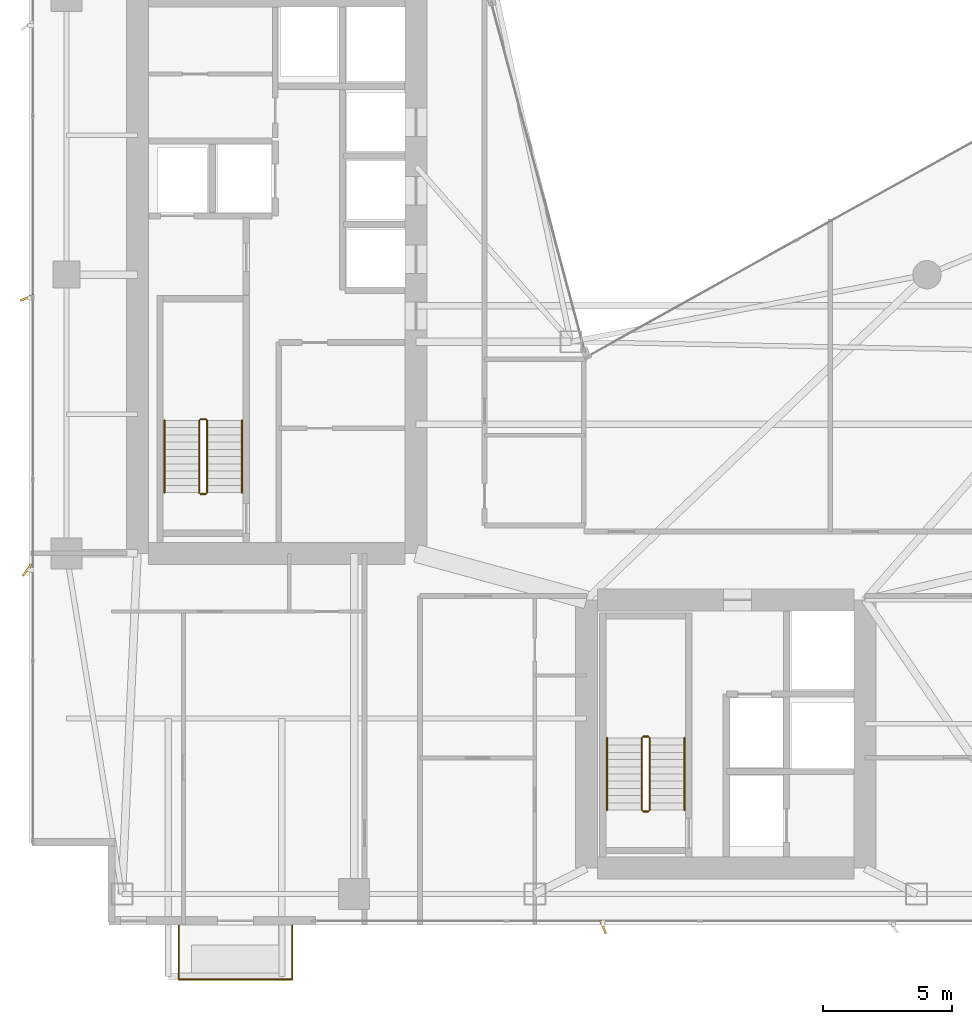
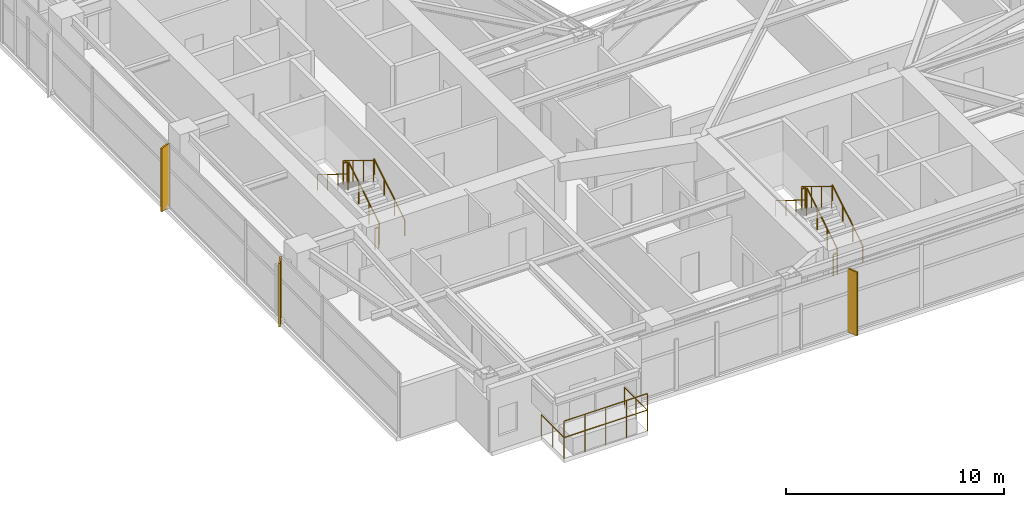
# One storey, part 27 of 28: 14 railings, 3 shading devices.
"""IFC4 building model written with IfcOpenShell, lengths in metres."""

from ifc_helpers import new_model, si_unit, direction, frame, origin, origin_2d, place, context, subcontext, project, spatial, rectangle, circle, extrude, material, type_object, element, save


model = new_model("IFC4")

# Units and contexts
model_context = context("Model", 3, precision=1e-05, world=origin(), true_north=direction((0.0, 1.0)))
body_context = subcontext(model_context, "Body", "Model", "MODEL_VIEW")
ifc_project = project(units=[si_unit("LENGTHUNIT", "METRE"), si_unit("AREAUNIT", "SQUARE_METRE"), si_unit("VOLUMEUNIT", "CUBIC_METRE"), si_unit("PLANEANGLEUNIT", "RADIAN"), si_unit("MASSUNIT", "GRAM", prefix="KILO")], contexts=[model_context])

# Site, building, storey
site_placement = place(None, origin())
site = spatial("IfcSite", under=ifc_project, at=site_placement, CompositionType="ELEMENT")
building_placement = place(site_placement, origin())
building = spatial("IfcBuilding", under=site, at=building_placement, Name="Calvorn Quay Hotel", CompositionType="ELEMENT")
storey_placement = place(building_placement, frame((0.0, 0.0, 131.60009765625)))
storey = spatial("IfcBuildingStorey", under=building, at=storey_placement, Name="L32", CompositionType="ELEMENT", Elevation=131.60009765625)

# Railings
ifc_material_1 = material(Name="Pale Anodised Aluminium and Laminated Glass", Category="aluminium")
railing_type_1 = type_object("IfcRailingType", Name="RLG-BALUSTRADE-1200", PredefinedType="BALUSTRADE", material=ifc_material_1)
railing_1_placement = place(storey_placement, frame((5.800048828125, 2.389892578125, 0.0)))
element("IfcRailing", 1, at=railing_1_placement, inside=storey, type_object=railing_type_1, Name="Tree Balcony Perimeter Balustrade L32-BALC-S", PredefinedType="BALUSTRADE", context=body_context, shape_type="SweptSolid", body=[
    extrude(circle(Radius=0.02392578125, at=origin_2d()), frame((0.0, 0.0, 1.17578125), z_axis=(0.0, -1.0, 0.0), x_axis=(1.0, 0.0, 0.0)), (0.0, 0.0, 1.0), 2.099853515625),
    extrude(circle(Radius=0.02392578125, at=origin_2d()), frame((0.0, -2.099853515625, 1.17578125), z_axis=(1.0, 0.0, 0.0), x_axis=(0.0, 1.0, 0.0)), (0.0, 0.0, 1.0), 4.39990234375),
    extrude(circle(Radius=0.02392578125, at=origin_2d()), frame((4.39990234375, -2.099853515625, 1.17578125), z_axis=(0.0, 1.0, 0.0), x_axis=(-1.0, 0.0, 0.0)), (0.0, 0.0, 1.0), 2.099853515625),
    extrude(circle(Radius=0.02099609375, at=origin_2d()), origin(), (0.0, 0.0, 1.0), 1.15185546875),
    extrude(circle(Radius=0.02099609375, at=origin_2d()), frame((0.0, -1.0498046875, 0.0)), (0.0, 0.0, 1.0), 1.15185546875),
    extrude(circle(Radius=0.02099609375, at=origin_2d()), frame((0.0, -2.099853515625, 0.0)), (0.0, 0.0, 1.0), 1.15185546875),
    extrude(circle(Radius=0.02099609375, at=origin_2d()), frame((1.10009765625, -2.099853515625, 0.0)), (0.0, 0.0, 1.0), 1.15185546875),
    extrude(circle(Radius=0.02099609375, at=origin_2d()), frame((2.199951171875, -2.099853515625, 0.0)), (0.0, 0.0, 1.0), 1.15185546875),
    extrude(circle(Radius=0.02099609375, at=origin_2d()), frame((3.2998046875, -2.099853515625, 0.0)), (0.0, 0.0, 1.0), 1.15185546875),
    extrude(circle(Radius=0.02099609375, at=origin_2d()), frame((4.39990234375, -2.099853515625, 0.0)), (0.0, 0.0, 1.0), 1.15185546875),
    extrude(circle(Radius=0.02099609375, at=origin_2d()), frame((4.39990234375, -1.0498046875, 0.0)), (0.0, 0.0, 1.0), 1.15185546875),
    extrude(circle(Radius=0.02099609375, at=origin_2d()), frame((4.39990234375, 0.0, 0.0)), (0.0, 0.0, 1.0), 1.15185546875),
])
railing_2_placement = place(storey_placement, frame((5.800048828125, 0.2900390625, 0.89990234375)))
element("IfcRailing", 2, at=railing_2_placement, inside=storey, type_object=railing_type_1, Name="Planter Kerb High Safety Screen L32-BALC-S", PredefinedType="BALUSTRADE", context=body_context, shape_type="SweptSolid", body=[
    extrude(circle(Radius=0.02392578125, at=origin_2d()), frame((0.0, 0.0, 1.19580078125), z_axis=(1.0, 0.0, 0.0), x_axis=(0.0, 1.0, 0.0)), (0.0, 0.0, 1.0), 4.39990234375),
    extrude(circle(Radius=0.02099609375, at=origin_2d()), origin(), (0.0, 0.0, 1.0), 1.171875),
    extrude(circle(Radius=0.02099609375, at=origin_2d()), frame((1.10009765625, 0.0, 0.0)), (0.0, 0.0, 1.0), 1.171875),
    extrude(circle(Radius=0.02099609375, at=origin_2d()), frame((2.199951171875, 0.0, 0.0)), (0.0, 0.0, 1.0), 1.171875),
    extrude(circle(Radius=0.02099609375, at=origin_2d()), frame((3.2998046875, 0.0, 0.0)), (0.0, 0.0, 1.0), 1.171875),
    extrude(circle(Radius=0.02099609375, at=origin_2d()), frame((4.39990234375, 0.0, 0.0)), (0.0, 0.0, 1.0), 1.171875),
])
ifc_material_2 = material(Name="Brushed Stainless Steel Handrail", Category="steel")
railing_type_2 = type_object("IfcRailingType", Name="RLG-HANDRAIL-900", PredefinedType="HANDRAIL", material=ifc_material_2)
railing_3_placement = place(storey_placement, frame((8.25, 19.14990234375, 0.172607421875)))
element("IfcRailing", 3, at=railing_3_placement, inside=storey, type_object=railing_type_2, Name="L32 ST-W stair handrail 1", PredefinedType="HANDRAIL", context=body_context, shape_type="SweptSolid", body=[
    extrude(circle(Radius=0.02392578125, at=origin_2d()), frame((0.0, 0.0, 0.8759765625), z_axis=(0.0, 0.851089632645, 0.525020415988), x_axis=(-1.0, 0.0, 0.0)), (0.0, 0.0, 1.0), 3.2900390625),
    extrude(circle(Radius=0.02099609375, at=origin_2d()), origin(), (0.0, 0.0, 1.0), 0.851806640625),
    extrude(circle(Radius=0.02099609375, at=origin_2d()), frame((0.0, 0.933349609375, 0.57568359375)), (0.0, 0.0, 1.0), 0.851806640625),
    extrude(circle(Radius=0.02099609375, at=origin_2d()), frame((0.0, 1.86669921875, 1.151611328125)), (0.0, 0.0, 1.0), 0.851806640625),
    extrude(circle(Radius=0.02099609375, at=origin_2d()), frame((0.0, 2.800048828125, 1.727294921875)), (0.0, 0.0, 1.0), 0.851806640625),
])
railing_4_placement = place(storey_placement, frame((5.25, 21.949951171875, 2.072509765625)))
element("IfcRailing", 4, at=railing_4_placement, inside=storey, type_object=railing_type_2, Name="L32 ST-W stair handrail 2", PredefinedType="HANDRAIL", context=body_context, shape_type="SweptSolid", body=[
    extrude(circle(Radius=0.02392578125, at=origin_2d()), frame((0.0, 0.0, 0.8759765625), z_axis=(0.0, -0.851089632645, 0.525020415988), x_axis=(1.0, 0.0, 0.0)), (0.0, 0.0, 1.0), 3.2900390625),
    extrude(circle(Radius=0.02099609375, at=origin_2d()), origin(), (0.0, 0.0, 1.0), 0.851806640625),
    extrude(circle(Radius=0.02099609375, at=origin_2d()), frame((0.0, -0.933349609375, 0.57568359375)), (0.0, 0.0, 1.0), 0.851806640625),
    extrude(circle(Radius=0.02099609375, at=origin_2d()), frame((0.0, -1.86669921875, 1.151611328125)), (0.0, 0.0, 1.0), 0.851806640625),
    extrude(circle(Radius=0.02099609375, at=origin_2d()), frame((0.0, -2.800048828125, 1.727294921875)), (0.0, 0.0, 1.0), 0.851806640625),
])
railing_5_placement = place(storey_placement, frame((25.39990234375, 6.85009765625, 0.172607421875)))
element("IfcRailing", 5, at=railing_5_placement, inside=storey, type_object=railing_type_2, Name="L32 ST-E stair handrail 1", PredefinedType="HANDRAIL", context=body_context, shape_type="SweptSolid", body=[
    extrude(circle(Radius=0.02392578125, at=origin_2d()), frame((0.0, 0.0, 0.8759765625), z_axis=(0.0, 0.851069175582, 0.525053576669), x_axis=(-1.0, 0.0, 0.0)), (0.0, 0.0, 1.0), 3.289794921875),
    extrude(circle(Radius=0.02099609375, at=origin_2d()), origin(), (0.0, 0.0, 1.0), 0.851806640625),
    extrude(circle(Radius=0.02099609375, at=origin_2d()), frame((0.0, 0.933349609375, 0.57568359375)), (0.0, 0.0, 1.0), 0.851806640625),
    extrude(circle(Radius=0.02099609375, at=origin_2d()), frame((0.0, 1.866455078125, 1.151611328125)), (0.0, 0.0, 1.0), 0.851806640625),
    extrude(circle(Radius=0.02099609375, at=origin_2d()), frame((0.0, 2.7998046875, 1.727294921875)), (0.0, 0.0, 1.0), 0.851806640625),
])
railing_6_placement = place(storey_placement, frame((22.39990234375, 9.64990234375, 2.072509765625)))
element("IfcRailing", 6, at=railing_6_placement, inside=storey, type_object=railing_type_2, Name="L32 ST-E stair handrail 2", PredefinedType="HANDRAIL", context=body_context, shape_type="SweptSolid", body=[
    extrude(circle(Radius=0.02392578125, at=origin_2d()), frame((0.0, 0.0, 0.8759765625), z_axis=(0.0, -0.851069175582, 0.525053576669), x_axis=(1.0, 0.0, 0.0)), (0.0, 0.0, 1.0), 3.289794921875),
    extrude(circle(Radius=0.02099609375, at=origin_2d()), origin(), (0.0, 0.0, 1.0), 0.851806640625),
    extrude(circle(Radius=0.02099609375, at=origin_2d()), frame((0.0, -0.933349609375, 0.57568359375)), (0.0, 0.0, 1.0), 0.851806640625),
    extrude(circle(Radius=0.02099609375, at=origin_2d()), frame((0.0, -1.866455078125, 1.151611328125)), (0.0, 0.0, 1.0), 0.851806640625),
    extrude(circle(Radius=0.02099609375, at=origin_2d()), frame((0.0, -2.7998046875, 1.727294921875)), (0.0, 0.0, 1.0), 0.851806640625),
])
ifc_material_3 = material(Name="Painted Galvanised Steel Balustrade", Category="steel")
railing_type_3 = type_object("IfcRailingType", Name="RLG-STAIR-GUARD-1120", PredefinedType="GUARDRAIL", material=ifc_material_3)
railing_7_placement = place(storey_placement, frame((6.89990234375, 19.14990234375, 0.172607421875)))
element("IfcRailing", 7, at=railing_7_placement, inside=storey, type_object=railing_type_3, Name="L32 ST-W stair guard 1", PredefinedType="GUARDRAIL", context=body_context, shape_type="SweptSolid", body=[
    extrude(circle(Radius=0.02392578125, at=origin_2d()), frame((0.0, 0.0, 1.17578125), z_axis=(0.0, 0.851089632645, 0.525020415988), x_axis=(-1.0, 0.0, 0.0)), (0.0, 0.0, 1.0), 3.2900390625),
    extrude(circle(Radius=0.02099609375, at=origin_2d()), origin(), (0.0, 0.0, 1.0), 1.15185546875),
    extrude(circle(Radius=0.02099609375, at=origin_2d()), frame((0.0, 0.933349609375, 0.57568359375)), (0.0, 0.0, 1.0), 1.15185546875),
    extrude(circle(Radius=0.02099609375, at=origin_2d()), frame((0.0, 1.86669921875, 1.151611328125)), (0.0, 0.0, 1.0), 1.15185546875),
    extrude(circle(Radius=0.02099609375, at=origin_2d()), frame((0.0, 2.800048828125, 1.727294921875)), (0.0, 0.0, 1.0), 1.15185546875),
])
railing_8_placement = place(storey_placement, frame((6.85009765625, 22.0, 1.89990234375)))
element("IfcRailing", 8, at=railing_8_placement, inside=storey, type_object=railing_type_3, Name="L32 ST-W stair guard 2", PredefinedType="GUARDRAIL", context=body_context, shape_type="SweptSolid", body=[
    extrude(circle(Radius=0.02392578125, at=origin_2d()), frame((0.0, 0.0, 1.17578125), z_axis=(-1.0, 0.0, 0.0), x_axis=(0.0, -1.0, 0.0)), (0.0, 0.0, 1.0), 0.2001953125),
    extrude(circle(Radius=0.02099609375, at=origin_2d()), origin(), (0.0, 0.0, 1.0), 1.15185546875),
    extrude(circle(Radius=0.02099609375, at=origin_2d()), frame((-0.2001953125, 0.0, 0.0)), (0.0, 0.0, 1.0), 1.15185546875),
])
railing_9_placement = place(storey_placement, frame((6.60009765625, 21.949951171875, 2.072509765625)))
element("IfcRailing", 9, at=railing_9_placement, inside=storey, type_object=railing_type_3, Name="L32 ST-W stair guard 3", PredefinedType="GUARDRAIL", context=body_context, shape_type="SweptSolid", body=[
    extrude(circle(Radius=0.02392578125, at=origin_2d()), frame((0.0, 0.0, 1.17578125), z_axis=(0.0, -0.851089632645, 0.525020415988), x_axis=(1.0, 0.0, 0.0)), (0.0, 0.0, 1.0), 3.2900390625),
    extrude(circle(Radius=0.02099609375, at=origin_2d()), origin(), (0.0, 0.0, 1.0), 1.15185546875),
    extrude(circle(Radius=0.02099609375, at=origin_2d()), frame((0.0, -0.933349609375, 0.57568359375)), (0.0, 0.0, 1.0), 1.15185546875),
    extrude(circle(Radius=0.02099609375, at=origin_2d()), frame((0.0, -1.86669921875, 1.151611328125)), (0.0, 0.0, 1.0), 1.15185546875),
    extrude(circle(Radius=0.02099609375, at=origin_2d()), frame((0.0, -2.800048828125, 1.727294921875)), (0.0, 0.0, 1.0), 1.15185546875),
])
railing_10_placement = place(storey_placement, frame((6.85009765625, 19.10009765625, 0.0)))
element("IfcRailing", 10, at=railing_10_placement, inside=storey, type_object=railing_type_3, Name="L32 ST-W stair guard 4", PredefinedType="GUARDRAIL", context=body_context, shape_type="SweptSolid", body=[
    extrude(circle(Radius=0.02392578125, at=origin_2d()), frame((0.0, 0.0, 1.17578125), z_axis=(-1.0, 0.0, 0.0), x_axis=(0.0, -1.0, 0.0)), (0.0, 0.0, 1.0), 0.2001953125),
    extrude(circle(Radius=0.02099609375, at=origin_2d()), origin(), (0.0, 0.0, 1.0), 1.15185546875),
    extrude(circle(Radius=0.02099609375, at=origin_2d()), frame((-0.2001953125, 0.0, 0.0)), (0.0, 0.0, 1.0), 1.15185546875),
])
railing_11_placement = place(storey_placement, frame((24.050048828125, 6.85009765625, 0.172607421875)))
element("IfcRailing", 11, at=railing_11_placement, inside=storey, type_object=railing_type_3, Name="L32 ST-E stair guard 1", PredefinedType="GUARDRAIL", context=body_context, shape_type="SweptSolid", body=[
    extrude(circle(Radius=0.02392578125, at=origin_2d()), frame((0.0, 0.0, 1.17578125), z_axis=(0.0, 0.851069175582, 0.525053576669), x_axis=(-1.0, 0.0, 0.0)), (0.0, 0.0, 1.0), 3.289794921875),
    extrude(circle(Radius=0.02099609375, at=origin_2d()), origin(), (0.0, 0.0, 1.0), 1.15185546875),
    extrude(circle(Radius=0.02099609375, at=origin_2d()), frame((0.0, 0.933349609375, 0.57568359375)), (0.0, 0.0, 1.0), 1.15185546875),
    extrude(circle(Radius=0.02099609375, at=origin_2d()), frame((0.0, 1.866455078125, 1.151611328125)), (0.0, 0.0, 1.0), 1.15185546875),
    extrude(circle(Radius=0.02099609375, at=origin_2d()), frame((0.0, 2.7998046875, 1.727294921875)), (0.0, 0.0, 1.0), 1.15185546875),
])
railing_12_placement = place(storey_placement, frame((24.0, 9.699951171875, 1.89990234375)))
element("IfcRailing", 12, at=railing_12_placement, inside=storey, type_object=railing_type_3, Name="L32 ST-E stair guard 2", PredefinedType="GUARDRAIL", context=body_context, shape_type="SweptSolid", body=[
    extrude(circle(Radius=0.02392578125, at=origin_2d()), frame((0.0, 0.0, 1.17578125), z_axis=(-1.0, 0.0, 0.0), x_axis=(0.0, -1.0, 0.0)), (0.0, 0.0, 1.0), 0.199951171875),
    extrude(circle(Radius=0.02099609375, at=origin_2d()), origin(), (0.0, 0.0, 1.0), 1.15185546875),
    extrude(circle(Radius=0.02099609375, at=origin_2d()), frame((-0.199951171875, 0.0, 0.0)), (0.0, 0.0, 1.0), 1.15185546875),
])
railing_13_placement = place(storey_placement, frame((23.75, 9.64990234375, 2.072509765625)))
element("IfcRailing", 13, at=railing_13_placement, inside=storey, type_object=railing_type_3, Name="L32 ST-E stair guard 3", PredefinedType="GUARDRAIL", context=body_context, shape_type="SweptSolid", body=[
    extrude(circle(Radius=0.02392578125, at=origin_2d()), frame((0.0, 0.0, 1.17578125), z_axis=(0.0, -0.851069175582, 0.525053576669), x_axis=(1.0, 0.0, 0.0)), (0.0, 0.0, 1.0), 3.289794921875),
    extrude(circle(Radius=0.02099609375, at=origin_2d()), origin(), (0.0, 0.0, 1.0), 1.15185546875),
    extrude(circle(Radius=0.02099609375, at=origin_2d()), frame((0.0, -0.933349609375, 0.57568359375)), (0.0, 0.0, 1.0), 1.15185546875),
    extrude(circle(Radius=0.02099609375, at=origin_2d()), frame((0.0, -1.866455078125, 1.151611328125)), (0.0, 0.0, 1.0), 1.15185546875),
    extrude(circle(Radius=0.02099609375, at=origin_2d()), frame((0.0, -2.7998046875, 1.727294921875)), (0.0, 0.0, 1.0), 1.15185546875),
])
railing_14_placement = place(storey_placement, frame((24.0, 6.800048828125, 0.0)))
element("IfcRailing", 14, at=railing_14_placement, inside=storey, type_object=railing_type_3, Name="L32 ST-E stair guard 4", PredefinedType="GUARDRAIL", context=body_context, shape_type="SweptSolid", body=[
    extrude(circle(Radius=0.02392578125, at=origin_2d()), frame((0.0, 0.0, 1.17578125), z_axis=(-1.0, 0.0, 0.0), x_axis=(0.0, -1.0, 0.0)), (0.0, 0.0, 1.0), 0.199951171875),
    extrude(circle(Radius=0.02099609375, at=origin_2d()), origin(), (0.0, 0.0, 1.0), 1.15185546875),
    extrude(circle(Radius=0.02099609375, at=origin_2d()), frame((-0.199951171875, 0.0, 0.0)), (0.0, 0.0, 1.0), 1.15185546875),
])

# Shading devices
ifc_material_4 = material(Name="Champagne Bronze Anodised Aluminium 6063-T6", Category="aluminium")
shading_device_type_1 = type_object("IfcShadingDeviceType", Name="SHD-FIN-A1", PredefinedType="USERDEFINED", material=ifc_material_4)
for number, where, z_axis, x_axis, name in (
    (15, (-0.080078125, 26.699951171875, -0.000244140625), (0.0, 0.0, 1.0), (0.927183854567, 0.374606593416, 0.0), "Diagonal Sun-Shading Fin L32-W02"),
    (16, (22.25, 2.320068359375, -0.000244140625), (0.0, 0.0, 1.0), (-0.374606593416, 0.927183854567, 0.0), "Diagonal Sun-Shading Fin L32-S01"),
):
    element("IfcShadingDevice", number, at=place(storey_placement, frame(where, z_axis=z_axis, x_axis=x_axis)), inside=storey, type_object=shading_device_type_1, Name=name, ObjectType="FIN", PredefinedType="USERDEFINED", context=body_context, shape_type="SweptSolid", body=[
        extrude(rectangle(XDim=0.550048828125, YDim=0.080078125, at=origin_2d()), origin(), (0.0, 0.0, 1.0), 3.56005859375),
    ])
ifc_material_5 = material(Name="Champagne Bronze Anodised Aluminium 6063-T6", Category="aluminium")
shading_device_type_2 = type_object("IfcShadingDeviceType", Name="SHD-FIN-A3", PredefinedType="USERDEFINED", material=ifc_material_5)
shading_device_placement = place(storey_placement, frame((-0.080078125, 16.14990234375, -0.000244140625), z_axis=(0.0, 0.0, 1.0), x_axis=(0.587785252292, 0.809016994375, 0.0)))
element("IfcShadingDevice", 17, at=shading_device_placement, inside=storey, type_object=shading_device_type_2, Name="Diagonal Sun-Shading Fin L32-W01", ObjectType="FIN", PredefinedType="USERDEFINED", context=body_context, shape_type="SweptSolid", body=[
    extrude(rectangle(XDim=0.550048828125, YDim=0.080078125, at=origin_2d()), origin(), (0.0, 0.0, 1.0), 3.56005859375),
])

save(model, "model.ifc")
